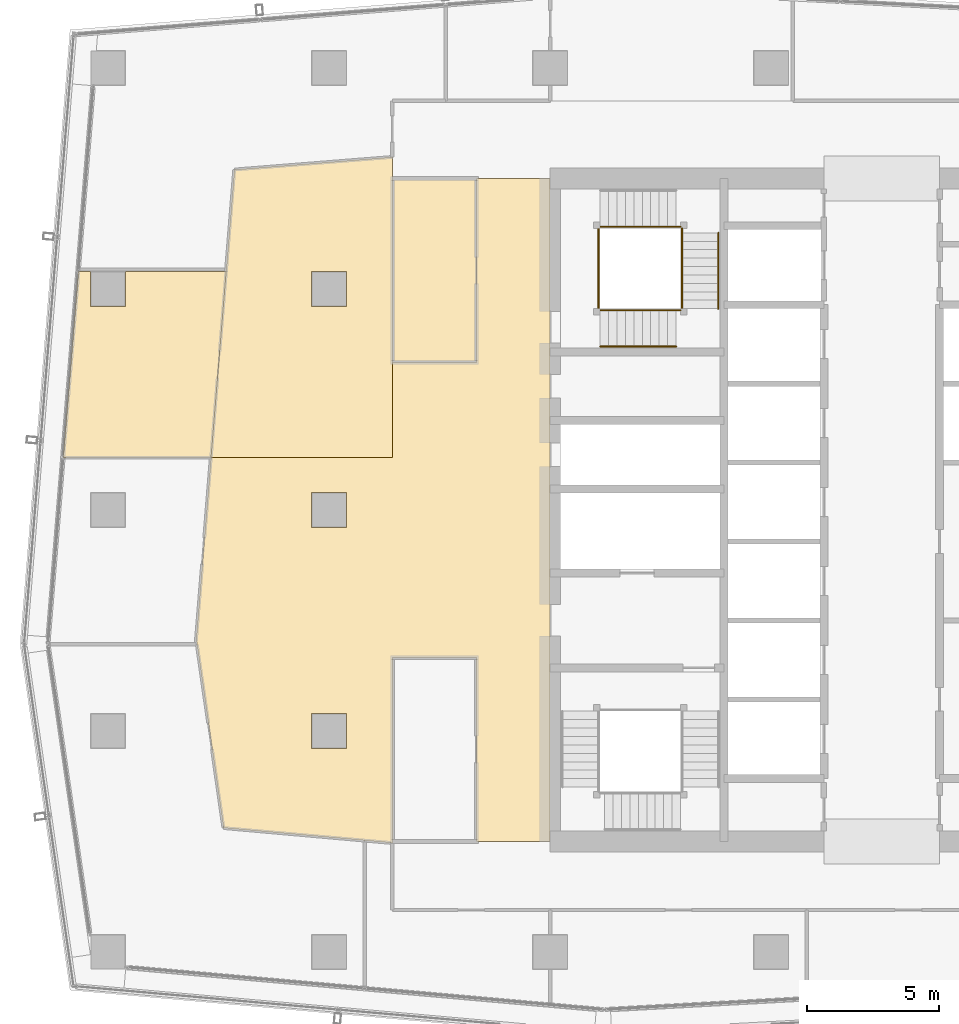
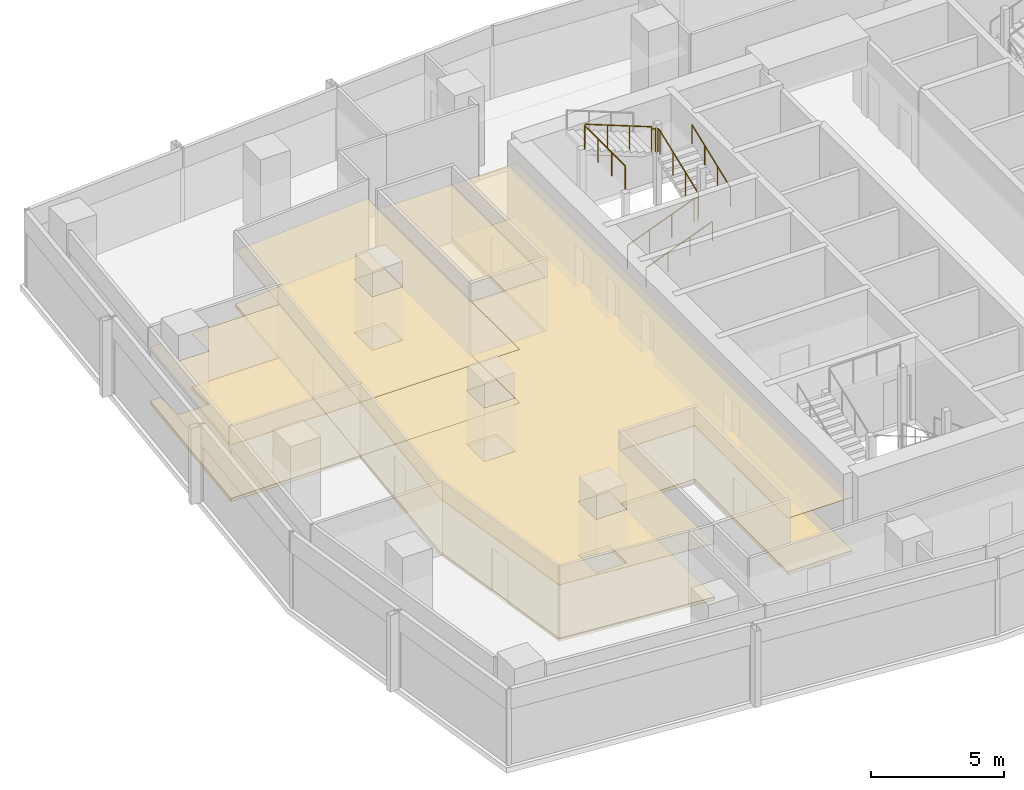
# One storey, part 27 of 30: 9 railings, 7 coverings.
"""IFC4 building model written with IfcOpenShell, lengths in metres."""

from ifc_helpers import new_model, si_unit, direction, frame, origin, origin_2d, place, context, subcontext, project, spatial, polyline, circle, outline, extrude, material, layer, layer_set, type_object, element, save


model = new_model("IFC4")

# Units and contexts
model_context = context("Model", 3, precision=1e-05, world=origin(), true_north=direction((0.0, 1.0)))
body_context = subcontext(model_context, "Body", "Model", "MODEL_VIEW")
ifc_project = project(units=[si_unit("LENGTHUNIT", "METRE"), si_unit("AREAUNIT", "SQUARE_METRE"), si_unit("VOLUMEUNIT", "CUBIC_METRE"), si_unit("PLANEANGLEUNIT", "RADIAN"), si_unit("MASSUNIT", "GRAM", prefix="KILO")], contexts=[model_context])

# Site, building, storey
site_placement = place(None, origin())
site = spatial("IfcSite", under=ifc_project, at=site_placement, CompositionType="ELEMENT")
building_placement = place(site_placement, origin())
building = spatial("IfcBuilding", under=site, at=building_placement, Name="Rekha Terrace Tower", CompositionType="ELEMENT")
storey_placement = place(building_placement, frame((0.0, 0.0, 272.60009765625)))
storey = spatial("IfcBuildingStorey", under=building, at=storey_placement, Name="L69", CompositionType="ELEMENT", Elevation=272.60009765625)

# Coverings
ifc_material_1 = material(Name="Mineral fibre tile in exposed grid", Category="finish")
ifc_layer_1 = layer(ifc_material_1, 0.02001953125)
ifc_layer_set_1 = layer_set([ifc_layer_1], Name="Mineral fibre tile in exposed grid")
covering_type_1 = type_object("IfcCoveringType", Name="CL1 600x1200 office grid ceiling", PredefinedType="CEILING", material=ifc_layer_set_1)
covering_1_placement = place(storey_placement, frame((0.0, 0.0, 2.579833984375)))
element("IfcCovering", 1, at=covering_1_placement, inside=storey, type_object=covering_type_1, Name="Ceiling L69-07", PredefinedType="CEILING", context=body_context, shape_type="SweptSolid", body=[
    extrude(outline(polyline([(7.735107421875, 42.656005859375), (7.26611328125, 42.656005859375), (6.69091796875, 35.590087890625), (12.30908203125, 35.590087890625), (12.884033203125, 42.656005859375), (9.06494140625, 42.656005859375), (9.06494140625, 41.3349609375), (7.735107421875, 41.3349609375), (7.735107421875, 42.656005859375)])), origin(), (0.0, 0.0, 1.0), 0.02001953125),
])
covering_2_placement = place(storey_placement, frame((0.0, 0.0, 2.579833984375)))
element("IfcCovering", 2, at=covering_2_placement, inside=storey, type_object=covering_type_1, Name="Ceiling L69-O1c", PredefinedType="CEILING", context=body_context, shape_type="SweptSolid", body=[
    extrude(outline(polyline([(13.198974609375, 46.530029296875), (12.884033203125, 42.656005859375), (12.30908203125, 35.590087890625), (19.199951171875, 35.590087890625), (19.199951171875, 47.008056640625), (13.198974609375, 46.530029296875)]), holes=[polyline([(17.465087890625, 41.3349609375), (16.135009765625, 41.3349609375), (16.135009765625, 42.6650390625), (17.465087890625, 42.6650390625), (17.465087890625, 41.3349609375)])]), origin(), (0.0, 0.0, 1.0), 0.02001953125),
])
covering_3_placement = place(storey_placement, frame((0.0, 0.0, 2.579833984375)))
element("IfcCovering", 3, at=covering_3_placement, inside=storey, type_object=covering_type_1, Name="Ceiling L69-O2", PredefinedType="CEILING", context=body_context, shape_type="SweptSolid", body=[
    extrude(outline(polyline([(11.7490234375, 28.698974609375), (11.779052734375, 28.491943359375), (12.787109375, 21.51806640625), (18.14990234375, 21.041015625), (19.199951171875, 20.947998046875), (19.199951171875, 28.0), (22.39990234375, 28.0), (22.39990234375, 21.0), (25.199951171875, 21.0), (25.199951171875, 46.199951171875), (22.39990234375, 46.199951171875), (22.39990234375, 39.199951171875), (19.199951171875, 39.199951171875), (19.199951171875, 35.590087890625), (12.30908203125, 35.590087890625), (11.7490234375, 28.698974609375)]), holes=[polyline([(17.465087890625, 25.864990234375), (17.465087890625, 24.534912109375), (16.135009765625, 24.534912109375), (16.135009765625, 25.864990234375), (17.465087890625, 25.864990234375)]), polyline([(17.465087890625, 34.264892578125), (17.465087890625, 32.93505859375), (16.135009765625, 32.93505859375), (16.135009765625, 34.264892578125), (17.465087890625, 34.264892578125)])]), origin(), (0.0, 0.0, 1.0), 0.02001953125),
])
ifc_material_2 = material(Name="Fibre cement board", Category="finish")
ifc_layer_2 = layer(ifc_material_2, 0.014892578125)
ifc_layer_set_2 = layer_set([ifc_layer_2], Name="Fibre cement board")
covering_type_2 = type_object("IfcCoveringType", Name="CL2 moisture-resistant board ceiling", PredefinedType="CEILING", material=ifc_layer_set_2)
covering_4_placement = place(storey_placement, frame((0.0, 0.0, 2.5849609375)))
element("IfcCovering", 4, at=covering_4_placement, inside=storey, type_object=covering_type_2, Name="Ceiling L69-WCF2", PredefinedType="CEILING", context=body_context, shape_type="SweptSolid", body=[
    extrude(outline(polyline([(22.39990234375, 46.199951171875), (19.199951171875, 46.199951171875), (19.199951171875, 39.199951171875), (22.39990234375, 39.199951171875), (22.39990234375, 46.199951171875)])), origin(), (0.0, 0.0, 1.0), 0.014892578125),
])

# Railings
ifc_material_3 = material(Name="Stainless steel balustrade", Category="steel")
railing_type_1 = type_object("IfcRailingType", Name="GR1 1100 stair guard", PredefinedType="GUARDRAIL", material=ifc_material_3)
railing_1_placement = place(storey_placement, frame((27.10009765625, 41.18994140625, 0.125)))
element("IfcRailing", 5, at=railing_1_placement, inside=storey, type_object=railing_type_1, Name="Guard ST4 L69 flight 1", PredefinedType="GUARDRAIL", context=body_context, shape_type="SweptSolid", body=[
    extrude(circle(Radius=0.02392578125, at=origin_2d()), frame((0.0, 0.0, 1.076171875), z_axis=(0.931452331594, 0.0, 0.363863372667), x_axis=(0.0, 1.0, 0.0)), (0.0, 0.0, 1.0), 3.091796875),
    extrude(circle(Radius=0.02099609375, at=origin_2d()), origin(), (0.0, 0.0, 1.0), 1.052001953125),
    extrude(circle(Radius=0.02099609375, at=origin_2d()), frame((0.9599609375, 0.0, 0.375)), (0.0, 0.0, 1.0), 1.052001953125),
    extrude(circle(Radius=0.02099609375, at=origin_2d()), frame((1.919921875, 0.0, 0.75)), (0.0, 0.0, 1.0), 1.052001953125),
    extrude(circle(Radius=0.02099609375, at=origin_2d()), frame((2.8798828125, 0.0, 1.125)), (0.0, 0.0, 1.0), 1.052001953125),
])
railing_2_placement = place(storey_placement, frame((30.2099609375, 41.25, 1.375)))
element("IfcRailing", 6, at=railing_2_placement, inside=storey, type_object=railing_type_1, Name="Guard ST4 L69 flight 2", PredefinedType="GUARDRAIL", context=body_context, shape_type="SweptSolid", body=[
    extrude(circle(Radius=0.02392578125, at=origin_2d()), frame((0.0, 0.0, 1.076171875), z_axis=(0.0, 0.931452331594, 0.363863372667), x_axis=(-1.0, 0.0, 0.0)), (0.0, 0.0, 1.0), 3.091796875),
    extrude(circle(Radius=0.02099609375, at=origin_2d()), origin(), (0.0, 0.0, 1.0), 1.052001953125),
    extrude(circle(Radius=0.02099609375, at=origin_2d()), frame((0.0, 0.9599609375, 0.375)), (0.0, 0.0, 1.0), 1.052001953125),
    extrude(circle(Radius=0.02099609375, at=origin_2d()), frame((0.0, 1.919921875, 0.75)), (0.0, 0.0, 1.0), 1.052001953125),
    extrude(circle(Radius=0.02099609375, at=origin_2d()), frame((0.0, 2.8798828125, 1.125)), (0.0, 0.0, 1.0), 1.052001953125),
])
railing_3_placement = place(storey_placement, frame((29.97998046875, 44.360107421875, 2.625)))
element("IfcRailing", 7, at=railing_3_placement, inside=storey, type_object=railing_type_1, Name="Guard ST4 L69 flight 3", PredefinedType="GUARDRAIL", context=body_context, shape_type="SweptSolid", body=[
    extrude(circle(Radius=0.02392578125, at=origin_2d()), frame((0.0, 0.0, 1.076171875), z_axis=(-0.931452331594, 0.0, 0.363863372667), x_axis=(0.0, -1.0, 0.0)), (0.0, 0.0, 1.0), 3.091796875),
    extrude(circle(Radius=0.02099609375, at=origin_2d()), origin(), (0.0, 0.0, 1.0), 1.052001953125),
    extrude(circle(Radius=0.02099609375, at=origin_2d()), frame((-0.9599609375, 0.0, 0.375)), (0.0, 0.0, 1.0), 1.052001953125),
    extrude(circle(Radius=0.02099609375, at=origin_2d()), frame((-1.919921875, 0.0, 0.75)), (0.0, 0.0, 1.0), 1.052001953125),
    extrude(circle(Radius=0.02099609375, at=origin_2d()), frame((-2.8798828125, 0.0, 1.125)), (0.0, 0.0, 1.0), 1.052001953125),
])
railing_4_placement = place(storey_placement, frame((29.97998046875, 41.18994140625, 1.25)))
element("IfcRailing", 8, at=railing_4_placement, inside=storey, type_object=railing_type_1, Name="Guard ST4 L69 landing 1", PredefinedType="GUARDRAIL", context=body_context, shape_type="SweptSolid", body=[
    extrude(circle(Radius=0.02392578125, at=origin_2d()), frame((0.0, 0.0, 1.076171875), z_axis=(1.0, 0.0, 0.0), x_axis=(0.0, 1.0, 0.0)), (0.0, 0.0, 1.0), 0.169921875),
    extrude(circle(Radius=0.02099609375, at=origin_2d()), origin(), (0.0, 0.0, 1.0), 1.052001953125),
    extrude(circle(Radius=0.02099609375, at=origin_2d()), frame((0.169921875, 0.0, 0.0)), (0.0, 0.0, 1.0), 1.052001953125),
])
railing_5_placement = place(storey_placement, frame((30.2099609375, 44.1298828125, 2.5)))
element("IfcRailing", 9, at=railing_5_placement, inside=storey, type_object=railing_type_1, Name="Guard ST4 L69 landing 2", PredefinedType="GUARDRAIL", context=body_context, shape_type="SweptSolid", body=[
    extrude(circle(Radius=0.02392578125, at=origin_2d()), frame((0.0, 0.0, 1.076171875), z_axis=(0.0, 1.0, 0.0), x_axis=(-1.0, 0.0, 0.0)), (0.0, 0.0, 1.0), 0.170166015625),
    extrude(circle(Radius=0.02099609375, at=origin_2d()), origin(), (0.0, 0.0, 1.0), 1.052001953125),
    extrude(circle(Radius=0.02099609375, at=origin_2d()), frame((0.0, 0.170166015625, 0.0)), (0.0, 0.0, 1.0), 1.052001953125),
])
railing_6_placement = place(storey_placement, frame((29.97998046875, 44.360107421875, 2.5)))
element("IfcRailing", 10, at=railing_6_placement, inside=storey, type_object=railing_type_1, Name="Guard ST4 L69 landing 3", PredefinedType="GUARDRAIL", context=body_context, shape_type="SweptSolid", body=[
    extrude(circle(Radius=0.02392578125, at=origin_2d()), frame((0.0, 0.0, 1.076171875), z_axis=(1.0, 0.0, 0.0), x_axis=(0.0, 1.0, 0.0)), (0.0, 0.0, 1.0), 0.169921875),
    extrude(circle(Radius=0.02099609375, at=origin_2d()), origin(), (0.0, 0.0, 1.0), 1.052001953125),
    extrude(circle(Radius=0.02099609375, at=origin_2d()), frame((0.169921875, 0.0, 0.0)), (0.0, 0.0, 1.0), 1.052001953125),
])
railing_7_placement = place(storey_placement, frame((27.0400390625, 41.25, 3.75)))
element("IfcRailing", 11, at=railing_7_placement, inside=storey, type_object=railing_type_1, Name="Guard ST4 L69 landing 4", PredefinedType="GUARDRAIL", context=body_context, shape_type="SweptSolid", body=[
    extrude(circle(Radius=0.02392578125, at=origin_2d()), frame((0.0, 0.0, 1.076171875), z_axis=(0.0, 1.0, 0.0), x_axis=(-1.0, 0.0, 0.0)), (0.0, 0.0, 1.0), 3.050048828125),
    extrude(circle(Radius=0.02099609375, at=origin_2d()), origin(), (0.0, 0.0, 1.0), 1.052001953125),
    extrude(circle(Radius=0.02099609375, at=origin_2d()), frame((0.0, 1.0166015625, 0.0)), (0.0, 0.0, 1.0), 1.052001953125),
    extrude(circle(Radius=0.02099609375, at=origin_2d()), frame((0.0, 2.033447265625, 0.0)), (0.0, 0.0, 1.0), 1.052001953125),
    extrude(circle(Radius=0.02099609375, at=origin_2d()), frame((0.0, 3.050048828125, 0.0)), (0.0, 0.0, 1.0), 1.052001953125),
])
ifc_material_4 = material(Name="Stainless steel tube", Category="steel")
railing_type_2 = type_object("IfcRailingType", Name="HR1 900 stair handrail", PredefinedType="HANDRAIL", material=ifc_material_4)
railing_8_placement = place(storey_placement, frame((27.10009765625, 39.81005859375, 0.125)))
element("IfcRailing", 12, at=railing_8_placement, inside=storey, type_object=railing_type_2, Name="Handrail ST4 L69 flight 1", PredefinedType="HANDRAIL", context=body_context, shape_type="SweptSolid", body=[
    extrude(circle(Radius=0.02392578125, at=origin_2d()), frame((0.0, 0.0, 0.8759765625), z_axis=(0.931452331594, 0.0, 0.363863372667), x_axis=(0.0, 1.0, 0.0)), (0.0, 0.0, 1.0), 3.091796875),
    extrude(circle(Radius=0.02099609375, at=origin_2d()), origin(), (0.0, 0.0, 1.0), 0.851806640625),
    extrude(circle(Radius=0.02099609375, at=origin_2d()), frame((0.9599609375, 0.0, 0.375)), (0.0, 0.0, 1.0), 0.851806640625),
    extrude(circle(Radius=0.02099609375, at=origin_2d()), frame((1.919921875, 0.0, 0.75)), (0.0, 0.0, 1.0), 0.851806640625),
    extrude(circle(Radius=0.02099609375, at=origin_2d()), frame((2.8798828125, 0.0, 1.125)), (0.0, 0.0, 1.0), 0.851806640625),
])
railing_9_placement = place(storey_placement, frame((31.590087890625, 41.25, 1.375)))
element("IfcRailing", 13, at=railing_9_placement, inside=storey, type_object=railing_type_2, Name="Handrail ST4 L69 flight 2", PredefinedType="HANDRAIL", context=body_context, shape_type="SweptSolid", body=[
    extrude(circle(Radius=0.02392578125, at=origin_2d()), frame((0.0, 0.0, 0.8759765625), z_axis=(0.0, 0.931452331594, 0.363863372667), x_axis=(-1.0, 0.0, 0.0)), (0.0, 0.0, 1.0), 3.091796875),
    extrude(circle(Radius=0.02099609375, at=origin_2d()), origin(), (0.0, 0.0, 1.0), 0.851806640625),
    extrude(circle(Radius=0.02099609375, at=origin_2d()), frame((0.0, 0.9599609375, 0.375)), (0.0, 0.0, 1.0), 0.851806640625),
    extrude(circle(Radius=0.02099609375, at=origin_2d()), frame((0.0, 1.919921875, 0.75)), (0.0, 0.0, 1.0), 0.851806640625),
    extrude(circle(Radius=0.02099609375, at=origin_2d()), frame((0.0, 2.8798828125, 1.125)), (0.0, 0.0, 1.0), 0.851806640625),
])

# Coverings
ifc_material_5 = material(Name="Calcium sulphate panels on steel pedestals", Category="steel")
ifc_layer_3 = layer(ifc_material_5, 0.14990234375)
ifc_layer_set_3 = layer_set([ifc_layer_3], Name="Calcium sulphate panels on steel pedestals")
covering_type_3 = type_object("IfcCoveringType", Name="RF1 150 raised access floor", PredefinedType="FLOORING", material=ifc_layer_set_3)
covering_5_placement = place(storey_placement, origin())
element("IfcCovering", 14, at=covering_5_placement, inside=storey, type_object=covering_type_3, Name="Raised floor L69-07", PredefinedType="FLOORING", context=body_context, shape_type="SweptSolid", body=[
    extrude(outline(polyline([(7.735107421875, 42.656005859375), (7.26611328125, 42.656005859375), (6.69091796875, 35.590087890625), (12.30908203125, 35.590087890625), (12.884033203125, 42.656005859375), (9.06494140625, 42.656005859375), (9.06494140625, 41.3349609375), (7.735107421875, 41.3349609375), (7.735107421875, 42.656005859375)])), origin(), (0.0, 0.0, 1.0), 0.14990234375),
])
covering_6_placement = place(storey_placement, origin())
element("IfcCovering", 15, at=covering_6_placement, inside=storey, type_object=covering_type_3, Name="Raised floor L69-O1c", PredefinedType="FLOORING", context=body_context, shape_type="SweptSolid", body=[
    extrude(outline(polyline([(13.198974609375, 46.530029296875), (12.884033203125, 42.656005859375), (12.30908203125, 35.590087890625), (19.199951171875, 35.590087890625), (19.199951171875, 47.008056640625), (13.198974609375, 46.530029296875)]), holes=[polyline([(17.465087890625, 41.3349609375), (16.135009765625, 41.3349609375), (16.135009765625, 42.6650390625), (17.465087890625, 42.6650390625), (17.465087890625, 41.3349609375)])]), origin(), (0.0, 0.0, 1.0), 0.14990234375),
])
covering_7_placement = place(storey_placement, origin())
element("IfcCovering", 16, at=covering_7_placement, inside=storey, type_object=covering_type_3, Name="Raised floor L69-O2", PredefinedType="FLOORING", context=body_context, shape_type="SweptSolid", body=[
    extrude(outline(polyline([(11.7490234375, 28.698974609375), (11.779052734375, 28.491943359375), (12.787109375, 21.51806640625), (18.14990234375, 21.041015625), (19.199951171875, 20.947998046875), (19.199951171875, 28.0), (22.39990234375, 28.0), (22.39990234375, 21.0), (25.199951171875, 21.0), (25.199951171875, 46.199951171875), (22.39990234375, 46.199951171875), (22.39990234375, 39.199951171875), (19.199951171875, 39.199951171875), (19.199951171875, 35.590087890625), (12.30908203125, 35.590087890625), (11.7490234375, 28.698974609375)]), holes=[polyline([(17.465087890625, 25.864990234375), (17.465087890625, 24.534912109375), (16.135009765625, 24.534912109375), (16.135009765625, 25.864990234375), (17.465087890625, 25.864990234375)]), polyline([(17.465087890625, 34.264892578125), (17.465087890625, 32.93505859375), (16.135009765625, 32.93505859375), (16.135009765625, 34.264892578125), (17.465087890625, 34.264892578125)])]), origin(), (0.0, 0.0, 1.0), 0.14990234375),
])

save(model, "model.ifc")
